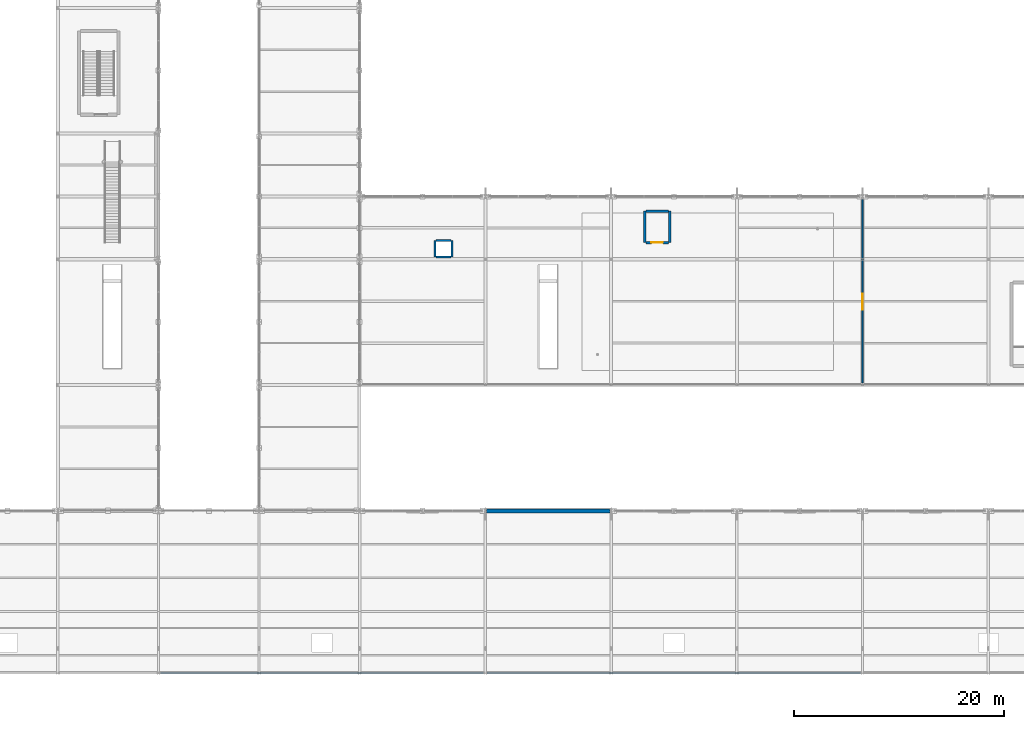
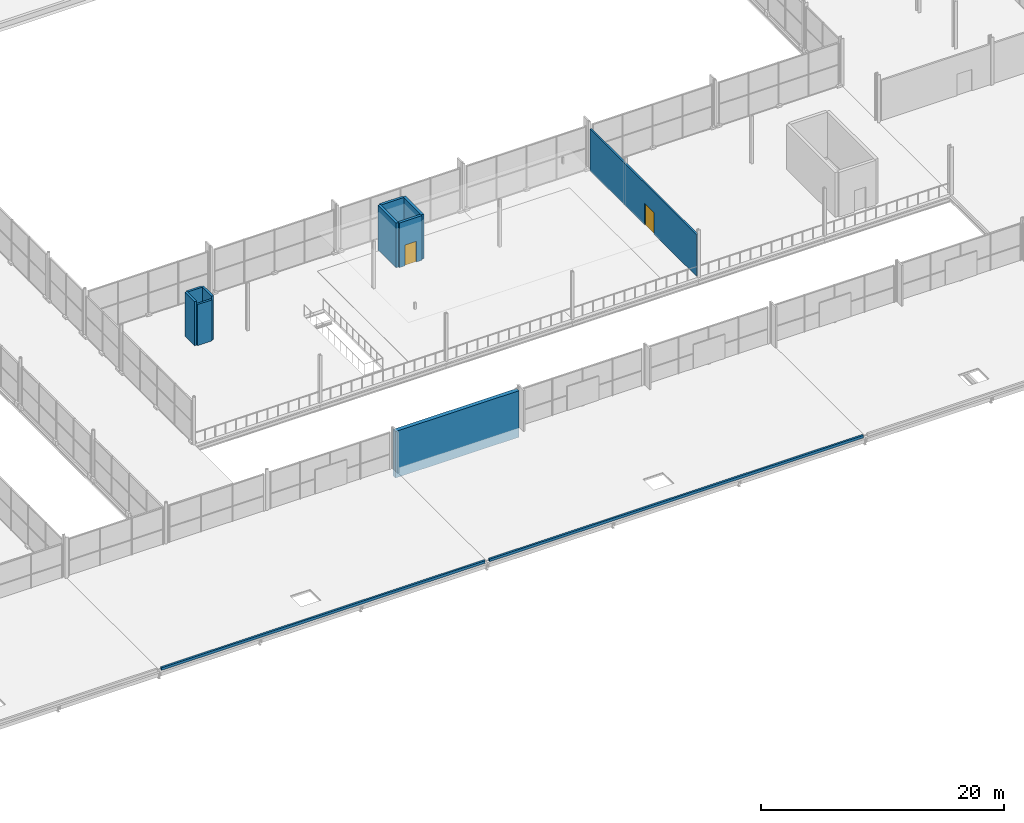
# One storey, part 138 of 159: 12 walls, 2 doors, 2 openings.
"""IFC4 building model written with IfcOpenShell, lengths in metres."""

import ifcopenshell
import ifcopenshell.guid

model = None  # the IFC model being written
_history = None  # IfcOwnerHistory: only IFC2X3 demands one
_inside = {}  # id of a spatial element -> (the spatial element, [elements in it])
_under = {}  # id of a project, library or spatial element -> (it, [spatial elements below it])
_declared = {}  # id of a project -> (the project, [libraries it declares])
_typed = {}  # id of a type object -> (the type object, [elements of that type])
_made_of = {}  # id of a material, layer set ... -> (it, [elements and type objects made of it])


def new_model(schema):
    """Start an empty IFC model of exactly this schema.

    Asked for "IFC4X3", IfcOpenShell would pick the latest addendum, in which some entities
    have other attributes; the version numbers below select the first issue.
    IFC2X3 requires an IfcOwnerHistory on every rooted entity: one is made here for all.
    """
    global model, _history
    if schema == "IFC4X3":
        model = ifcopenshell.file(schema_version=(4, 3, 0, 0))
    else:
        model = ifcopenshell.file(schema=schema)
    _inside.clear()
    _under.clear()
    _declared.clear()
    _typed.clear()
    _made_of.clear()
    _history = None
    if model.schema == "IFC2X3":
        org = make("IfcOrganization", Name="unknown")
        user = make(
            "IfcPersonAndOrganization",
            ThePerson=make("IfcPerson", FamilyName="unknown"),
            TheOrganization=org,
        )
        app = make(
            "IfcApplication",
            ApplicationDeveloper=org,
            Version="unknown",
            ApplicationFullName="unknown",
            ApplicationIdentifier="unknown",
        )
        _history = make(
            "IfcOwnerHistory",
            OwningUser=user,
            OwningApplication=app,
            ChangeAction="ADDED",
            CreationDate=0,
        )
    return model


def make(cls, **values):
    """One entity of the class cls with the attributes given. An attribute that is None is left unset."""
    return model.create_entity(
        cls, **{name: value for name, value in values.items() if value is not None}
    )


def rooted(cls, **values):
    """An entity with a GlobalId (a new one), such as an element, a storey or a relation."""
    return make(cls, GlobalId=ifcopenshell.guid.new(), OwnerHistory=_history, **values)


def si_unit(unit_type, name, prefix=None):
    """IfcSIUnit, for example si_unit("LENGTHUNIT", "METRE", prefix="MILLI")."""
    return make("IfcSIUnit", UnitType=unit_type, Prefix=prefix, Name=name)


def assignment(units):
    """IfcUnitAssignment: the units of a project."""
    return None if units is None else make("IfcUnitAssignment", Units=units)


def point(xyz):
    """IfcCartesianPoint."""
    return None if xyz is None else make("IfcCartesianPoint", Coordinates=xyz)


def direction(xyz):
    """IfcDirection."""
    return None if xyz is None else make("IfcDirection", DirectionRatios=xyz)


def frame(location, z_axis=None, x_axis=None):
    """IfcAxis2Placement3D, a coordinate frame: its origin and axes. An axis left out is left unset."""
    return make(
        "IfcAxis2Placement3D",
        Location=point(location),
        Axis=direction(z_axis),
        RefDirection=direction(x_axis),
    )


def frame_2d(location, x_axis=None):
    """IfcAxis2Placement2D, a coordinate frame in the plane: its origin and x axis."""
    return make(
        "IfcAxis2Placement2D", Location=point(location), RefDirection=direction(x_axis)
    )


def origin():
    """The frame at (0, 0, 0) with its axes left unset."""
    return frame((0.0, 0.0, 0.0))


def place(relative_to, where):
    """IfcLocalPlacement: puts the frame where relative to a parent placement (None: the world)."""
    return make(
        "IfcLocalPlacement", PlacementRelTo=relative_to, RelativePlacement=where
    )


def context(
    kind, dimensions, precision=None, world=None, true_north=None, identifier=None
):
    """IfcGeometricRepresentationContext, for example the 3D "Model" context."""
    return make(
        "IfcGeometricRepresentationContext",
        ContextIdentifier=identifier,
        ContextType=kind,
        CoordinateSpaceDimension=dimensions,
        Precision=precision,
        WorldCoordinateSystem=world,
        TrueNorth=true_north,
    )


def subcontext(parent, identifier, kind, view, scale=None):
    """IfcGeometricRepresentationSubContext, for example "Body" below "Model"."""
    return make(
        "IfcGeometricRepresentationSubContext",
        ContextIdentifier=identifier,
        ContextType=kind,
        ParentContext=parent,
        TargetScale=scale,
        TargetView=view,
    )


def project(units=None, contexts=None):
    """IfcProject with its units and contexts."""
    return rooted(
        "IfcProject",
        Name="project",
        RepresentationContexts=contexts,
        UnitsInContext=assignment(units),
    )


def spatial(cls, under=None, at=None, **own):
    """A site, building, storey or space (cls), placed at a placement, below another one or the project."""
    s = rooted(cls, ObjectPlacement=at, **own)
    if under is not None:
        _under.setdefault(under.id(), (under, []))[1].append(s)
    return s


def profile(cls, at=None, kind="AREA", **sizes):
    """A parametric profile (cls). Its sizes go by their IFC names, for example OverallWidth=200.0."""
    return make(cls, ProfileType=kind, Position=at, **sizes)


def rectangle(**sizes):
    """IfcRectangleProfileDef."""
    return profile("IfcRectangleProfileDef", **sizes)


def extrude(swept, where, along, depth):
    """IfcExtrudedAreaSolid: the profile swept, set in the frame where, extruded along a direction by depth."""
    return make(
        "IfcExtrudedAreaSolid",
        SweptArea=swept,
        Position=where,
        ExtrudedDirection=direction(along),
        Depth=depth,
    )


def shape(context_of_items, identifier, shape_type, items):
    """IfcShapeRepresentation: the items that make up one representation, for example the "Body"."""
    return make(
        "IfcShapeRepresentation",
        ContextOfItems=context_of_items,
        RepresentationIdentifier=identifier,
        RepresentationType=shape_type,
        Items=items,
    )


def material(Name=None, Category=None):
    """IfcMaterial."""
    return make("IfcMaterial", Name=Name, Category=Category)


def layer(
    of_material, thickness, ventilated=None, Name=None, Category=None, Priority=None
):
    """IfcMaterialLayer: one layer of a wall or slab, of a material (None: an air gap)."""
    return make(
        "IfcMaterialLayer",
        Material=of_material,
        LayerThickness=thickness,
        IsVentilated=ventilated,
        Name=Name,
        Category=Category,
        Priority=Priority,
    )


def layer_set(layers, Name=None):
    """IfcMaterialLayerSet."""
    return make("IfcMaterialLayerSet", MaterialLayers=layers, LayerSetName=Name)


def made_of(thing, what):
    """Note that an element or type object is made of a material, layer set ...; save() writes the relation."""
    if what is not None:
        _made_of.setdefault(what.id(), (what, []))[1].append(thing)
    return thing


def type_object(cls, material=None, **own):
    """A type object (cls), such as IfcWallType, which elements share."""
    return made_of(rooted(cls, **own), material)


def element(
    cls,
    number,
    at=None,
    inside=None,
    cuts=None,
    type_object=None,
    material=None,
    context=None,
    identifier="Body",
    shape_type=None,
    held_by="IfcProductDefinitionShape",
    body=None,
    shapes=None,
    **own,
):
    """One element of the class cls, such as IfcWall. Its Tag is "e" and its number.

    at: its placement. inside: the storey or other place that contains it. cuts: it is an
    opening in that element (IfcRelVoidsElement). A single representation is given by context,
    identifier, shape_type and body (its items); several are given by shapes. held_by: the class
    of the entity that holds the representations. save() writes the other relations.
    """
    e = rooted(cls, Tag="e%d" % number, ObjectPlacement=at, **own)
    if body is not None:
        shapes = [shape(context, identifier, shape_type, body)]
    if shapes is not None:
        e.Representation = make(held_by, Representations=shapes)
    if inside is not None:
        _inside.setdefault(inside.id(), (inside, []))[1].append(e)
    if cuts is not None:
        rooted(
            "IfcRelVoidsElement", RelatingBuildingElement=cuts, RelatedOpeningElement=e
        )
    if type_object is not None:
        _typed.setdefault(type_object.id(), (type_object, []))[1].append(e)
    return made_of(e, material)


def fill(opening, filler):
    """IfcRelFillsElement: the door or window that sits in an opening."""
    return rooted(
        "IfcRelFillsElement",
        RelatingOpeningElement=opening,
        RelatedBuildingElement=filler,
    )


def aggregate(whole, parts):
    """IfcRelAggregates: a whole, such as a stair, and the parts it consists of."""
    return rooted("IfcRelAggregates", RelatingObject=whole, RelatedObjects=parts)


def save(model, path):
    """Write the relations noted so far, then the file.

    IfcRelAggregates (storeys below a building ...), IfcRelContainedInSpatialStructure (elements
    in a storey), IfcRelDefinesByType, IfcRelAssociatesMaterial and IfcRelDeclares: one each for
    every whole, place, type object, material and project.
    """
    for whole, parts in _under.values():
        aggregate(whole, parts)
    for where, things in _inside.values():
        rooted(
            "IfcRelContainedInSpatialStructure",
            RelatedElements=things,
            RelatingStructure=where,
        )
    for kind, things in _typed.values():
        rooted("IfcRelDefinesByType", RelatedObjects=things, RelatingType=kind)
    for what, things in _made_of.values():
        rooted("IfcRelAssociatesMaterial", RelatedObjects=things, RelatingMaterial=what)
    for by, libraries in _declared.values():
        rooted("IfcRelDeclares", RelatingContext=by, RelatedDefinitions=libraries)
    model.write(path)


model = new_model("IFC4")

# Units and contexts
model_context = context("Model", 3, precision=1e-05, world=origin(), true_north=direction((0.0, 1.0)))
body_context = subcontext(model_context, "Body", "Model", "MODEL_VIEW")
ifc_project = project(units=[si_unit("LENGTHUNIT", "METRE"), si_unit("AREAUNIT", "SQUARE_METRE"), si_unit("VOLUMEUNIT", "CUBIC_METRE"), si_unit("PLANEANGLEUNIT", "RADIAN"), si_unit("MASSUNIT", "GRAM", prefix="KILO")], contexts=[model_context])

# Site, building, storey
site_placement = place(None, origin())
site = spatial("IfcSite", under=ifc_project, at=site_placement, CompositionType="ELEMENT")
building_placement = place(site_placement, origin())
building = spatial("IfcBuilding", under=site, at=building_placement, Name="Merenkruunu Market Hall", CompositionType="ELEMENT")
storey_placement = place(building_placement, frame((0.0, 0.0, 5.39990234375)))
storey = spatial("IfcBuildingStorey", under=building, at=storey_placement, Name="L01", CompositionType="ELEMENT", Elevation=5.39990234375)

# Walls
ifc_material_1 = material(Name="Precast concrete C40/50", Category="concrete")
ifc_layer_1 = layer(ifc_material_1, 0.3798828125)
ifc_layer_set_1 = layer_set([ifc_layer_1], Name="Precast concrete C40/50")
wall_type_1 = type_object("IfcWallType", Name="Exterior Envelope Wall EW02", PredefinedType="STANDARD", material=ifc_layer_set_1)
wall_1_placement = place(storey_placement, frame((100.676025390625, 15.60009765625, -0.27978515625), z_axis=(0.0, 0.0, 1.0), x_axis=(-1.0, 0.0, 0.0)))
element("IfcWall", 1, at=wall_1_placement, inside=storey, type_object=wall_type_1, Name="WALL-EXT-L01-0033", PredefinedType="STANDARD", context=body_context, shape_type="SweptSolid", body=[
    extrude(rectangle(XDim=11.751953125, YDim=0.3798828125, at=frame_2d((5.8759765625, 0.0))), origin(), (0.0, 0.0, 1.0), 4.679931640625),
])
ifc_material_2 = material(Name="Gypsum fire compartment board")
ifc_layer_2 = layer(ifc_material_2, 0.199951171875)
ifc_layer_set_2 = layer_set([ifc_layer_2], Name="Gypsum fire compartment board")
wall_type_2 = type_object("IfcWallType", Name="Interior Partition Wall FW02", PredefinedType="PARTITIONING", material=ifc_layer_set_2)
wall_2_placement = place(storey_placement, frame((84.10205078125, 39.800048828125, 0.0), z_axis=(0.0, 0.0, 1.0), x_axis=(1.0, 0.0, 0.0)))
element("IfcWall", 2, at=wall_2_placement, inside=storey, type_object=wall_type_2, Name="WALL-INT-L01-0123", PredefinedType="PARTITIONING", context=body_context, shape_type="SweptSolid", body=[
    extrude(rectangle(XDim=1.39599609375, YDim=0.199951171875, at=frame_2d((0.697998046875, 0.0))), origin(), (0.0, 0.0, 1.0), 4.135009765625),
])
wall_3_placement = place(storey_placement, frame((85.60009765625, 39.800048828125, 0.0), z_axis=(0.0, 0.0, 1.0), x_axis=(0.0, 1.0, 0.0)))
element("IfcWall", 3, at=wall_3_placement, inside=storey, type_object=wall_type_2, Name="WALL-INT-L01-0124", PredefinedType="PARTITIONING", context=body_context, shape_type="SweptSolid", body=[
    extrude(rectangle(XDim=1.599853515625, YDim=0.199951171875, at=frame_2d((0.7998046875, 0.0))), origin(), (0.0, 0.0, 1.0), 4.440185546875),
])
wall_4_placement = place(storey_placement, frame((85.498046875, 41.39990234375, 0.0), z_axis=(0.0, 0.0, 1.0), x_axis=(-1.0, 0.0, 0.0)))
element("IfcWall", 4, at=wall_4_placement, inside=storey, type_object=wall_type_2, Name="WALL-INT-L01-0125", PredefinedType="PARTITIONING", context=body_context, shape_type="SweptSolid", body=[
    extrude(rectangle(XDim=1.39599609375, YDim=0.199951171875, at=frame_2d((0.697998046875, 0.0))), origin(), (0.0, 0.0, 1.0), 4.440185546875),
])
wall_5_placement = place(storey_placement, frame((84.0, 41.39990234375, 0.0), z_axis=(0.0, 0.0, 1.0), x_axis=(0.0, -1.0, 0.0)))
element("IfcWall", 5, at=wall_5_placement, inside=storey, type_object=wall_type_2, Name="WALL-INT-L01-0126", PredefinedType="PARTITIONING", context=body_context, shape_type="SweptSolid", body=[
    extrude(rectangle(XDim=1.599853515625, YDim=0.199951171875, at=frame_2d((0.7998046875, 0.0))), origin(), (0.0, 0.0, 1.0), 4.440185546875),
])

# Wall, opening, door
ifc_material_3 = material(Name="Gypsum acoustic partition board")
ifc_layer_3 = layer(ifc_material_3, 0.159912109375)
ifc_layer_set_3 = layer_set([ifc_layer_3], Name="Gypsum acoustic partition board")
wall_type_3 = type_object("IfcWallType", Name="Interior Partition Wall PW01", PredefinedType="PARTITIONING", material=ifc_layer_set_3)
wall_6_placement = place(storey_placement, frame((124.800048828125, 27.800048828125, 0.0), z_axis=(0.0, 0.0, 1.0), x_axis=(0.0, 1.0, 0.0)))
wall_6 = element("IfcWall", 6, at=wall_6_placement, inside=storey, type_object=wall_type_3, Name="WALL-INT-L01-0055", PredefinedType="PARTITIONING", context=body_context, shape_type="SweptSolid", body=[
    extrude(rectangle(XDim=17.5, YDim=0.159912109375, at=frame_2d((8.75, 0.0))), origin(), (0.0, 0.0, 1.0), 4.205078125),
])
opening_1_placement = place(wall_6_placement, frame((7.0, 0.0, 0.0)))
opening_1 = element("IfcOpeningElement", 7, at=opening_1_placement, cuts=wall_6, Name="Opening D06", PredefinedType="OPENING", context=body_context, shape_type="SweptSolid", body=[
    extrude(rectangle(XDim=1.5, YDim=2.14990234375, at=frame_2d((0.75, 1.074951171875))), frame((0.0, 0.08984375, 0.0), z_axis=(0.0, -1.0, 0.0), x_axis=(1.0, 0.0, 0.0)), (0.0, 0.0, 1.0), 0.179931640625),
])
ifc_material_4 = material(Name="Lacquered Nordic birch")
door_type_1 = type_object("IfcDoorType", Name="Pedestrian Room Door D06", OperationType="NOTDEFINED", PredefinedType="DOOR", material=ifc_material_4)
door_1_placement = place(opening_1_placement, origin())
door_1 = element("IfcDoor", 8, at=door_1_placement, inside=storey, type_object=door_type_1, Name="DR-L01-056", OperationType="SINGLE_SWING_RIGHT", OverallHeight=2.14990234375, OverallWidth=1.5, PredefinedType="DOOR", context=body_context, shape_type="SweptSolid", body=[
    extrude(rectangle(XDim=1.5, YDim=2.14990234375, at=frame_2d((0.75, 1.074951171875))), frame((0.0, 0.02490234375, 0.0), z_axis=(0.0, -1.0, 0.0), x_axis=(1.0, 0.0, 0.0)), (0.0, 0.0, 1.0), 0.050048828125),
])
fill(opening_1, door_1)

# Walls
ifc_material_5 = material(Name="High-albedo white parapet Steel S355J2", Category="steel")
ifc_layer_4 = layer(ifc_material_5, 0.179931640625)
ifc_layer_set_4 = layer_set([ifc_layer_4], Name="High-albedo white parapet Steel S355J2")
wall_type_4 = type_object("IfcWallType", Name="Roof Parapet Upstand PRW02", PredefinedType="PARAPET", material=ifc_layer_set_4)
wall_7_placement = place(storey_placement, frame((57.800048828125, 0.1201171875, 0.60009765625), z_axis=(0.0, 0.0, 1.0), x_axis=(1.0, 0.0, 0.0)))
element("IfcWall", 9, at=wall_7_placement, inside=storey, type_object=wall_type_4, Name="PAR-V6-3", PredefinedType="PARAPET", context=body_context, shape_type="SweptSolid", body=[
    extrude(rectangle(XDim=30.800048828125, YDim=0.179931640625, at=frame_2d((15.39990234375, 0.0))), origin(), (0.0, 0.0, 1.0), 0.260009765625),
])
wall_8_placement = place(storey_placement, frame((89.0, 0.1201171875, 0.60009765625), z_axis=(0.0, 0.0, 1.0), x_axis=(1.0, 0.0, 0.0)))
element("IfcWall", 10, at=wall_8_placement, inside=storey, type_object=wall_type_4, Name="PAR-V6-4", PredefinedType="PARAPET", context=body_context, shape_type="SweptSolid", body=[
    extrude(rectangle(XDim=35.60009765625, YDim=0.179931640625, at=frame_2d((17.800048828125, 0.0))), origin(), (0.0, 0.0, 1.0), 0.260009765625),
])

# Wall, opening, door
ifc_material_6 = material(Name="Concrete C35/45", Category="concrete")
ifc_layer_5 = layer(ifc_material_6, 0.239990234375)
ifc_layer_set_5 = layer_set([ifc_layer_5], Name="Concrete C35/45")
wall_type_5 = type_object("IfcWallType", Name="Structural Shear Wall SW04", PredefinedType="SHEAR", material=ifc_layer_set_5)
wall_9_placement = place(storey_placement, frame((104.1201171875, 41.199951171875, 0.0), z_axis=(0.0, 0.0, 1.0), x_axis=(1.0, 0.0, 0.0)))
wall_9 = element("IfcWall", 11, at=wall_9_placement, inside=storey, type_object=wall_type_5, Name="WALL-LIFT-LP3-L01-S", PredefinedType="SHEAR", context=body_context, shape_type="SweptSolid", body=[
    extrude(rectangle(XDim=2.159912109375, YDim=0.239990234375, at=frame_2d((1.080078125, 0.0))), origin(), (0.0, 0.0, 1.0), 4.5),
])
opening_2_placement = place(wall_9_placement, frame((0.530029296875, 0.0, 0.0)))
opening_2 = element("IfcOpeningElement", 12, at=opening_2_placement, cuts=wall_9, Name="Opening LD01", PredefinedType="OPENING", context=body_context, shape_type="SweptSolid", body=[
    extrude(rectangle(XDim=1.10009765625, YDim=2.10009765625, at=frame_2d((0.550048828125, 1.050048828125))), frame((0.0, 0.1298828125, 0.0), z_axis=(0.0, -1.0, 0.0), x_axis=(1.0, 0.0, 0.0)), (0.0, 0.0, 1.0), 0.260009765625),
])
ifc_material_7 = material(Name="Brushed stainless steel", Category="steel")
door_type_2 = type_object("IfcDoorType", Name="Lift Landing Sliding Door LD01", OperationType="NOTDEFINED", PredefinedType="DOOR", material=ifc_material_7)
door_2_placement = place(opening_2_placement, origin())
door_2 = element("IfcDoor", 13, at=door_2_placement, inside=storey, type_object=door_type_2, Name="Lift landing door LP3 L01", OperationType="SLIDING_TO_LEFT", OverallHeight=2.10009765625, OverallWidth=1.10009765625, PredefinedType="DOOR", context=body_context, shape_type="SweptSolid", body=[
    extrude(rectangle(XDim=1.10009765625, YDim=2.10009765625, at=frame_2d((0.550048828125, 1.050048828125))), frame((0.0, 0.02490234375, 0.0), z_axis=(0.0, -1.0, 0.0), x_axis=(1.0, 0.0, 0.0)), (0.0, 0.0, 1.0), 0.050048828125),
])
fill(opening_2, door_2)

# Walls
wall_10_placement = place(storey_placement, frame((106.39990234375, 41.199951171875, 0.0), z_axis=(0.0, 0.0, 1.0), x_axis=(0.0, 1.0, 0.0)))
element("IfcWall", 14, at=wall_10_placement, inside=storey, type_object=wall_type_5, Name="WALL-LIFT-LP3-L01-E", PredefinedType="SHEAR", context=body_context, shape_type="SweptSolid", body=[
    extrude(rectangle(XDim=3.0, YDim=0.239990234375, at=frame_2d((1.5, 0.0))), origin(), (0.0, 0.0, 1.0), 4.5),
])
wall_11_placement = place(storey_placement, frame((106.280029296875, 44.199951171875, 0.0), z_axis=(0.0, 0.0, 1.0), x_axis=(-1.0, 0.0, 0.0)))
element("IfcWall", 15, at=wall_11_placement, inside=storey, type_object=wall_type_5, Name="WALL-LIFT-LP3-L01-N", PredefinedType="SHEAR", context=body_context, shape_type="SweptSolid", body=[
    extrude(rectangle(XDim=2.159912109375, YDim=0.239990234375, at=frame_2d((1.080078125, 0.0))), origin(), (0.0, 0.0, 1.0), 4.5),
])
wall_12_placement = place(storey_placement, frame((104.0, 44.199951171875, 0.0), z_axis=(0.0, 0.0, 1.0), x_axis=(0.0, -1.0, 0.0)))
element("IfcWall", 16, at=wall_12_placement, inside=storey, type_object=wall_type_5, Name="WALL-LIFT-LP3-L01-W", PredefinedType="SHEAR", context=body_context, shape_type="SweptSolid", body=[
    extrude(rectangle(XDim=3.0, YDim=0.239990234375, at=frame_2d((1.5, 0.0))), origin(), (0.0, 0.0, 1.0), 4.5),
])

save(model, "model.ifc")
